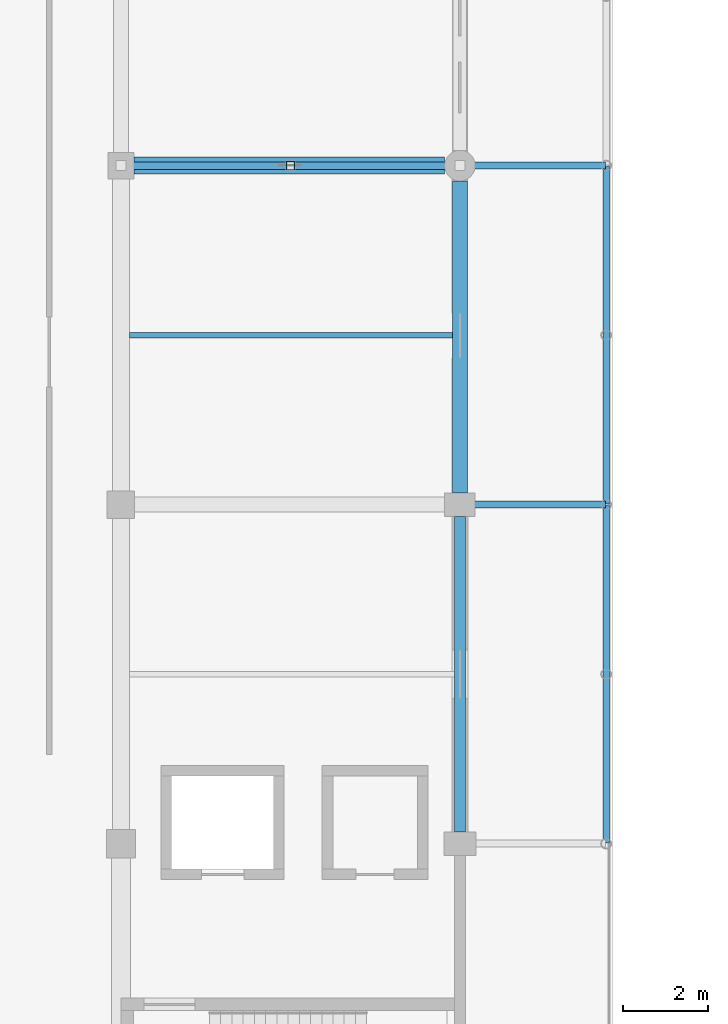
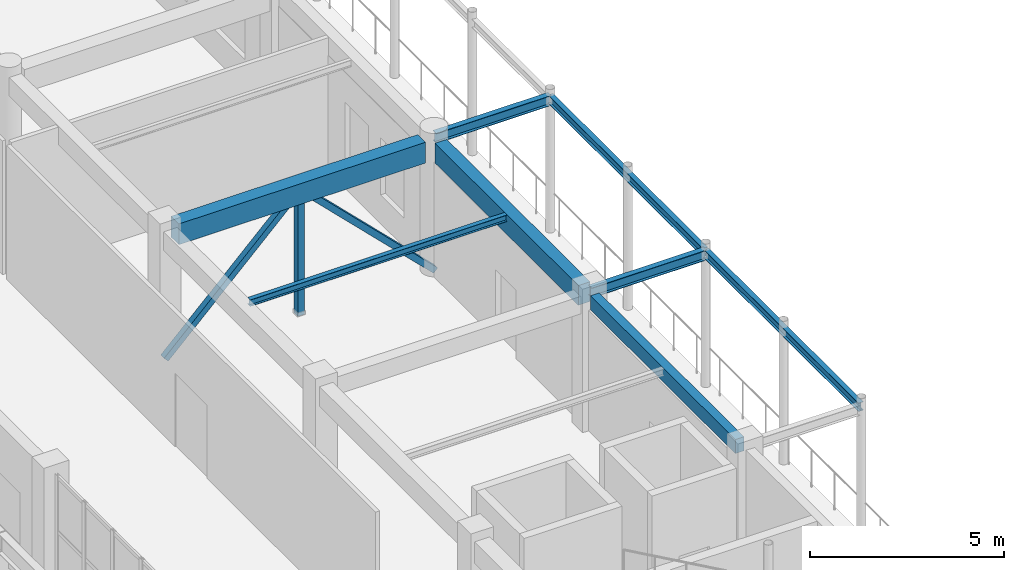
# One storey, part 57 of 160: 8 beams, 3 members.
"""IFC4 building model written with IfcOpenShell, lengths in metres."""

from ifc_helpers import new_model, si_unit, direction, frame, origin, origin_2d, place, context, subcontext, project, spatial, rectangle, hollow_rectangle, i_section, extrude, material, material_profile, profile_set, type_object, element, save


model = new_model("IFC4")

# Units and contexts
model_context = context("Model", 3, precision=1e-05, world=origin(), true_north=direction((0.0, 1.0)))
body_context = subcontext(model_context, "Body", "Model", "MODEL_VIEW")
ifc_project = project(units=[si_unit("LENGTHUNIT", "METRE"), si_unit("AREAUNIT", "SQUARE_METRE"), si_unit("VOLUMEUNIT", "CUBIC_METRE"), si_unit("PLANEANGLEUNIT", "RADIAN"), si_unit("MASSUNIT", "GRAM", prefix="KILO")], contexts=[model_context])

# Site, building, storey
site_placement = place(None, origin())
site = spatial("IfcSite", under=ifc_project, at=site_placement, CompositionType="ELEMENT")
building_placement = place(site_placement, origin())
building = spatial("IfcBuilding", under=site, at=building_placement, Name="Kharva Crest Polytechnic", CompositionType="ELEMENT")
storey_placement = place(building_placement, frame((0.0, 0.0, 4.5)))
storey = spatial("IfcBuildingStorey", under=building, at=storey_placement, Name="L01", CompositionType="ELEMENT", Elevation=4.5)

# Beams
ifc_material_1 = material(Name="Concrete C35/45", Category="concrete")
ifc_material_profile_1 = material_profile(ifc_material_1, rectangle(XDim=0.39990234375, YDim=0.64990234375, at=origin_2d()), Name="RECT 400 X 650")
ifc_profile_set_1 = profile_set([ifc_material_profile_1], Name="Concrete C35/45")
beam_type_1 = type_object("IfcBeamType", Name="BM-RC-400X650", PredefinedType="BEAM", material=ifc_profile_set_1)
beam_1_placement = place(storey_placement, frame((40.31005859375, 62.800048828125, 3.89501953125), z_axis=(1.0, 0.0, 0.0), x_axis=(0.0, 1.0, 0.0)))
element("IfcBeam", 1, at=beam_1_placement, inside=storey, type_object=beam_type_1, Name="L01 Beam J/6-7", PredefinedType="BEAM", context=body_context, shape_type="SweptSolid", body=[
    extrude(rectangle(XDim=0.39990234375, YDim=0.64990234375, at=origin_2d()), origin(), (0.0, 0.0, 1.0), 7.329833984375),
])
ifc_material_2 = material(Name="Steel S355", Category="steel")
ifc_material_profile_2 = material_profile(ifc_material_2, i_section(OverallWidth=0.133056640625, OverallDepth=0.20703125, WebThickness=0.005859375, FlangeThickness=0.00830078125, at=origin_2d()), Name="W200X26.6")
ifc_profile_set_2 = profile_set([ifc_material_profile_2], Name="Steel S355")
beam_type_2 = type_object("IfcBeamType", Name="BM-STL-W200X26", PredefinedType="JOIST", material=ifc_profile_set_2)
beam_2_placement = place(storey_placement, frame((40.199951171875, 58.800048828125, 4.116455078125), z_axis=(1.0, 0.0, 0.0), x_axis=(0.0, 1.0, 0.0)))
element("IfcBeam", 2, at=beam_2_placement, inside=storey, type_object=beam_type_2, Name="L01 Floor Joist 2", PredefinedType="JOIST", context=body_context, shape_type="SweptSolid", body=[
    extrude(i_section(OverallWidth=0.133056640625, OverallDepth=0.20703125, WebThickness=0.005859375, FlangeThickness=0.00830078125, at=origin_2d()), origin(), (0.0, 0.0, 1.0), 7.625),
])
ifc_material_profile_3 = material_profile(ifc_material_2, i_section(OverallWidth=0.14794921875, OverallDepth=0.26611328125, WebThickness=0.007568359375, FlangeThickness=0.012939453125, at=origin_2d()), Name="W250X44.8")
ifc_profile_set_3 = profile_set([ifc_material_profile_3], Name="Steel S355")
beam_type_3 = type_object("IfcBeamType", Name="BM-STL-W250X44", PredefinedType="SPANDREL", material=ifc_profile_set_3)
for number, where, z_axis, x_axis, name in (
    (3, (51.449951171875, 46.820068359375, 4.156982421875), (0.0, 1.0, 0.0), (-1.0, 0.0, 0.0), "L01 West Veranda Beam 1"),
    (4, (51.449951171875, 54.820068359375, 4.156982421875), (0.0, 1.0, 0.0), (-1.0, 0.0, 0.0), "L01 West Veranda Beam 2"),
):
    element("IfcBeam", number, at=place(storey_placement, frame(where, z_axis=z_axis, x_axis=x_axis)), inside=storey, type_object=beam_type_3, Name=name, PredefinedType="SPANDREL", context=body_context, shape_type="SweptSolid", body=[
        extrude(i_section(OverallWidth=0.14794921875, OverallDepth=0.26611328125, WebThickness=0.007568359375, FlangeThickness=0.012939453125, at=origin_2d()), origin(), (0.0, 0.0, 1.0), 7.9599609375),
    ])
ifc_material_profile_4 = material_profile(ifc_material_2, i_section(OverallWidth=0.1669921875, OverallDepth=0.31689453125, WebThickness=0.007568359375, FlangeThickness=0.01318359375, at=origin_2d()), Name="W310X52")
ifc_profile_set_4 = profile_set([ifc_material_profile_4], Name="Steel S355")
beam_type_4 = type_object("IfcBeamType", Name="BM-STL-W310X52", PredefinedType="BEAM", material=ifc_profile_set_4)
for number, where, z_axis, x_axis, name in (
    (5, (48.02001953125, 54.800048828125, 4.131591796875), (1.0, 0.0, 0.0), (0.0, 1.0, 0.0), "L01 West Veranda Tie 2"),
    (6, (48.02001953125, 62.800048828125, 4.131591796875), (1.0, 0.0, 0.0), (0.0, 1.0, 0.0), "L01 West Veranda Tie 3"),
):
    element("IfcBeam", number, at=place(storey_placement, frame(where, z_axis=z_axis, x_axis=x_axis)), inside=storey, type_object=beam_type_4, Name=name, PredefinedType="BEAM", context=body_context, shape_type="SweptSolid", body=[
        extrude(i_section(OverallWidth=0.1669921875, OverallDepth=0.31689453125, WebThickness=0.007568359375, FlangeThickness=0.01318359375, at=origin_2d()), origin(), (0.0, 0.0, 1.0), 3.409912109375),
    ])

# Members
ifc_material_profile_5 = material_profile(ifc_material_2, hollow_rectangle(XDim=0.179931640625, YDim=0.179931640625, WallThickness=0.008056640625, at=origin_2d()), Name="RHS 180X180X8.0")
ifc_profile_set_5 = profile_set([ifc_material_profile_5], Name="Steel S355")
member_type_1 = type_object("IfcMemberType", Name="MEM-RHS180-BR", PredefinedType="BRACE", material=ifc_profile_set_5)
for number, where, z_axis, x_axis, name in (
    (7, (40.0, 62.800048828125, 0.0), (0.711544263728, 0.0, 0.702641274589), (0.0, 1.0, 0.0), "L01 Braced Frame 2 Diagonal A"),
    (8, (48.0, 62.800048828125, 0.0), (-0.711544263728, 0.0, 0.702641274589), (0.0, -1.0, 0.0), "L01 Braced Frame 2 Diagonal B"),
):
    element("IfcMember", number, at=place(storey_placement, frame(where, z_axis=z_axis, x_axis=x_axis)), inside=storey, type_object=member_type_1, Name=name, PredefinedType="BRACE", context=body_context, shape_type="SweptSolid", body=[
        extrude(hollow_rectangle(XDim=0.179931640625, YDim=0.179931640625, WallThickness=0.008056640625, at=origin_2d()), origin(), (0.0, 0.0, 1.0), 5.62158203125),
    ])
ifc_material_profile_6 = material_profile(ifc_material_2, hollow_rectangle(XDim=0.199951171875, YDim=0.199951171875, WallThickness=0.008056640625, at=origin_2d()), Name="RHS 200X200X8.0")
ifc_profile_set_6 = profile_set([ifc_material_profile_6], Name="Steel S355")
member_type_2 = type_object("IfcMemberType", Name="MEM-RHS200-ST", PredefinedType="STRUT", material=ifc_profile_set_6)
member_placement = place(storey_placement, frame((44.0, 62.800048828125, 0.0), z_axis=(0.0, 0.0, 1.0), x_axis=(1.0, 0.0, 0.0)))
element("IfcMember", 9, at=member_placement, inside=storey, type_object=member_type_2, Name="L01 Braced Frame 2 King Strut", PredefinedType="STRUT", context=body_context, shape_type="SweptSolid", body=[
    extrude(hollow_rectangle(XDim=0.199951171875, YDim=0.199951171875, WallThickness=0.008056640625, at=origin_2d()), origin(), (0.0, 0.0, 1.0), 3.949951171875),
])

# Beams
ifc_material_profile_7 = material_profile(ifc_material_1, rectangle(XDim=0.260009765625, YDim=0.43994140625, at=origin_2d()), Name="RECT 260 X 440")
ifc_profile_set_7 = profile_set([ifc_material_profile_7], Name="Concrete C35/45")
beam_type_5 = type_object("IfcBeamType", Name="SP-RC-260X440", PredefinedType="SPANDREL", material=ifc_profile_set_7)
beam_3_placement = place(storey_placement, frame((48.0, 47.074951171875, 4.0), z_axis=(0.0, 1.0, 0.0), x_axis=(-1.0, 0.0, 0.0)))
element("IfcBeam", 10, at=beam_3_placement, inside=storey, type_object=beam_type_5, Name="L01 Girder 7/G-H", PredefinedType="SPANDREL", context=body_context, shape_type="SweptSolid", body=[
    extrude(rectangle(XDim=0.260009765625, YDim=0.43994140625, at=origin_2d()), origin(), (0.0, 0.0, 1.0), 7.449951171875),
])
ifc_material_profile_8 = material_profile(ifc_material_1, rectangle(XDim=0.35009765625, YDim=0.6201171875, at=origin_2d()), Name="RECT 350 X 620")
ifc_profile_set_8 = profile_set([ifc_material_profile_8], Name="Concrete C35/45")
beam_type_6 = type_object("IfcBeamType", Name="SP-RC-350X620", PredefinedType="SPANDREL", material=ifc_profile_set_8)
beam_4_placement = place(storey_placement, frame((48.0, 55.074951171875, 3.909912109375), z_axis=(0.0, 1.0, 0.0), x_axis=(-1.0, 0.0, 0.0)))
element("IfcBeam", 11, at=beam_4_placement, inside=storey, type_object=beam_type_6, Name="L01 Girder 7/H-J", PredefinedType="SPANDREL", context=body_context, shape_type="SweptSolid", body=[
    extrude(rectangle(XDim=0.35009765625, YDim=0.6201171875, at=origin_2d()), origin(), (0.0, 0.0, 1.0), 7.364990234375),
])

save(model, "model.ifc")
